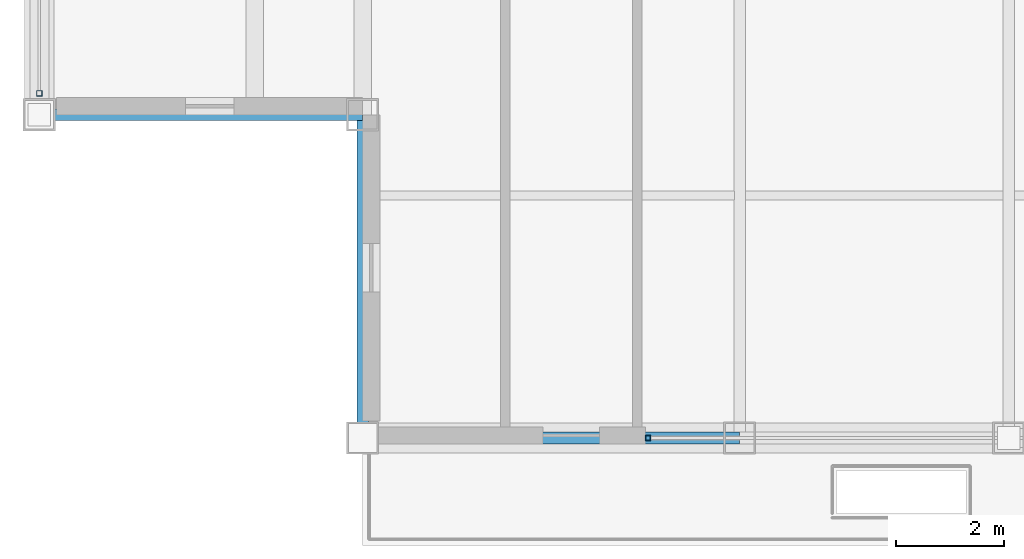
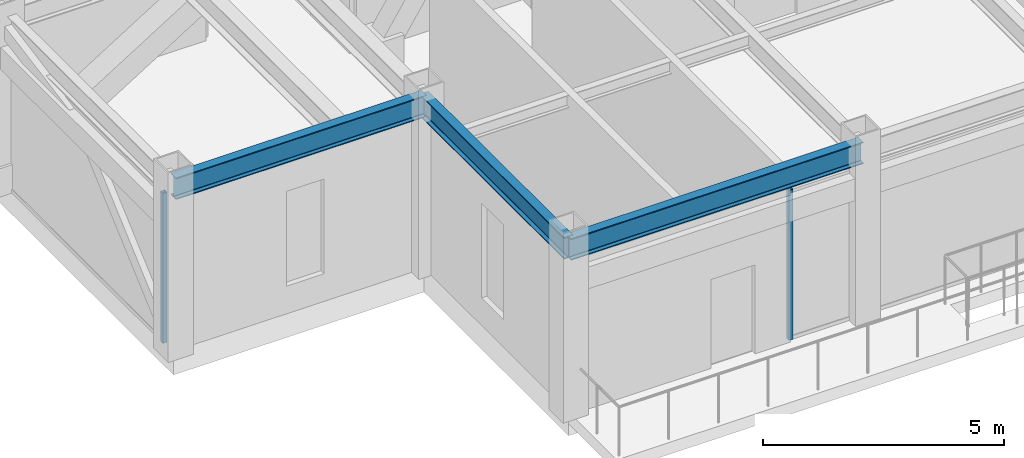
# One storey, part 2 of 32: 3 beams, 2 members, 2 elements without a shape of their own.
"""IFC4 building model written with IfcOpenShell, lengths in metres."""

from ifc_helpers import new_model, si_unit, direction, frame, origin, origin_2d, place, context, subcontext, project, spatial, hollow_rectangle, i_section, extrude, source, transform, mapped, material, material_profile, profile_set, type_object, element, aggregate, save


model = new_model("IFC4")

# Units and contexts
model_context = context("Model", 3, precision=1e-05, world=origin(), true_north=direction((0.0, 1.0)))
body_context = subcontext(model_context, "Body", "Model", "MODEL_VIEW")
ifc_project = project(units=[si_unit("LENGTHUNIT", "METRE"), si_unit("AREAUNIT", "SQUARE_METRE"), si_unit("VOLUMEUNIT", "CUBIC_METRE"), si_unit("PLANEANGLEUNIT", "RADIAN"), si_unit("MASSUNIT", "GRAM", prefix="KILO")], contexts=[model_context])

# Site, building, storey
site_placement = place(None, origin())
site = spatial("IfcSite", under=ifc_project, at=site_placement, CompositionType="ELEMENT")
building_placement = place(site_placement, origin())
building = spatial("IfcBuilding", under=site, at=building_placement, Name="Khorayat Bourse Tower", CompositionType="ELEMENT")
storey_placement = place(building_placement, frame((0.0, 0.0, 375.5)))
storey = spatial("IfcBuildingStorey", under=building, at=storey_placement, Name="L89", CompositionType="ELEMENT", Elevation=375.5)

# Beams
ifc_material_1 = material(Name="Steel ASTM A992 Grade 50", Category="steel")
ifc_material_profile_1 = material_profile(ifc_material_1, i_section(OverallWidth=0.214111328125, OverallDepth=0.549072265625, WebThickness=0.0146484375, FlangeThickness=0.023681640625, FilletRadius=0.013916015625, at=origin_2d()), Name="W530X138")
ifc_profile_set_1 = profile_set([ifc_material_profile_1], Name="Steel ASTM A992 Grade 50")
beam_type = type_object("IfcBeamType", Name="BM-SPAN-530", PredefinedType="SPANDREL", material=ifc_profile_set_1)
shared_shape_1 = source(origin(), body_context, "Body", "SweptSolid", [
    extrude(i_section(OverallWidth=0.214111328125, OverallDepth=0.549072265625, WebThickness=0.0146484375, FlangeThickness=0.023681640625, FilletRadius=0.013916015625, at=origin_2d()), origin(), (0.0, 0.0, 1.0), 6.0),
])
for number, where, z_axis, x_axis, name in (
    (1, (-24.0, -18.0, 4.175537109375), (1.0, 0.0, 0.0), (0.0, 1.0, 0.0), "L89 BM-SPAN-530 BM-L89-SPN-054"),
    (2, (-18.0, -24.0, 4.175537109375), (0.0, 1.0, 0.0), (-1.0, 0.0, 0.0), "L89 BM-SPAN-530 BM-L89-SPN-055"),
):
    element("IfcBeam", number, at=place(storey_placement, frame(where, z_axis=z_axis, x_axis=x_axis)), inside=storey, type_object=beam_type, Name=name, PredefinedType="SPANDREL", context=body_context, shape_type="MappedRepresentation", body=[
        mapped(shared_shape_1, transform((0.0, 0.0, 0.0), scale=1.0)),
    ])
shared_shape_2 = source(origin(), body_context, "Body", "SweptSolid", [
    extrude(i_section(OverallWidth=0.214111328125, OverallDepth=0.549072265625, WebThickness=0.0146484375, FlangeThickness=0.023681640625, FilletRadius=0.013916015625, at=origin_2d()), origin(), (0.0, 0.0, 1.0), 7.0),
])
beam_placement = place(storey_placement, frame((-18.0, -24.0, 4.175537109375), z_axis=(1.0, 0.0, 0.0), x_axis=(0.0, 1.0, 0.0)))
element("IfcBeam", 3, at=beam_placement, inside=storey, type_object=beam_type, Name="L89 BM-SPAN-530 BM-L89-SPN-024", PredefinedType="SPANDREL", context=body_context, shape_type="MappedRepresentation", body=[
    mapped(shared_shape_2, transform((0.0, 0.0, 0.0), scale=1.0)),
])

# Curtain wall, member
ifc_material_2 = material(Name="Aluminium EN AW-6063 T6", Category="aluminium")
curtain_wall_type = type_object("IfcCurtainWallType", Name="CW-SYS-07", PredefinedType="NOTDEFINED", material=ifc_material_2)
curtain_wall_1_placement = place(storey_placement, origin())
curtain_wall_1 = element("IfcCurtainWall", 4, at=curtain_wall_1_placement, inside=storey, type_object=curtain_wall_type, Name="L89 Curtain Wall CW-L89-S2", PredefinedType="NOTDEFINED")
ifc_material_profile_2 = material_profile(ifc_material_2, hollow_rectangle(XDim=0.10009765625, YDim=0.10009765625, WallThickness=0.0048828125, at=origin_2d()), Name="ALU 100x100x5")
ifc_profile_set_2 = profile_set([ifc_material_profile_2], Name="Aluminium EN AW-6063 T6")
member_type = type_object("IfcMemberType", Name="CWM-LANTERN-100", PredefinedType="MULLION", material=ifc_profile_set_2)
shared_shape_3 = source(origin(), body_context, "Body", "SweptSolid", [
    extrude(hollow_rectangle(XDim=0.10009765625, YDim=0.10009765625, WallThickness=0.0048828125, at=origin_2d()), origin(), (0.0, 0.0, 1.0), 3.800048828125),
])
member_1_placement = place(storey_placement, frame((-12.699951171875, -24.0, 0.0), z_axis=(0.0, 0.0, 1.0), x_axis=(0.0, 1.0, 0.0)))
member_1 = element("IfcMember", 5, at=member_1_placement, type_object=member_type, Name="CW-L89-S2 Vertical Mullion 1", PredefinedType="MULLION", context=body_context, shape_type="MappedRepresentation", body=[
    mapped(shared_shape_3, transform((0.0, 0.0, 0.0), scale=1.0)),
])
aggregate(curtain_wall_1, [member_1])

curtain_wall_2_placement = place(storey_placement, origin())
curtain_wall_2 = element("IfcCurtainWall", 6, at=curtain_wall_2_placement, inside=storey, type_object=curtain_wall_type, Name="L89 Curtain Wall CW-L89-W1", PredefinedType="NOTDEFINED")
member_2_placement = place(storey_placement, frame((-24.0, -17.60009765625, 0.0), z_axis=(0.0, 0.0, 1.0), x_axis=(-1.0, 0.0, 0.0)))
member_2 = element("IfcMember", 7, at=member_2_placement, type_object=member_type, Name="CW-L89-W1 Vertical Mullion 1", PredefinedType="MULLION", context=body_context, shape_type="MappedRepresentation", body=[
    mapped(shared_shape_3, transform((0.0, 0.0, 0.0), scale=1.0)),
])
aggregate(curtain_wall_2, [member_2])

save(model, "model.ifc")
